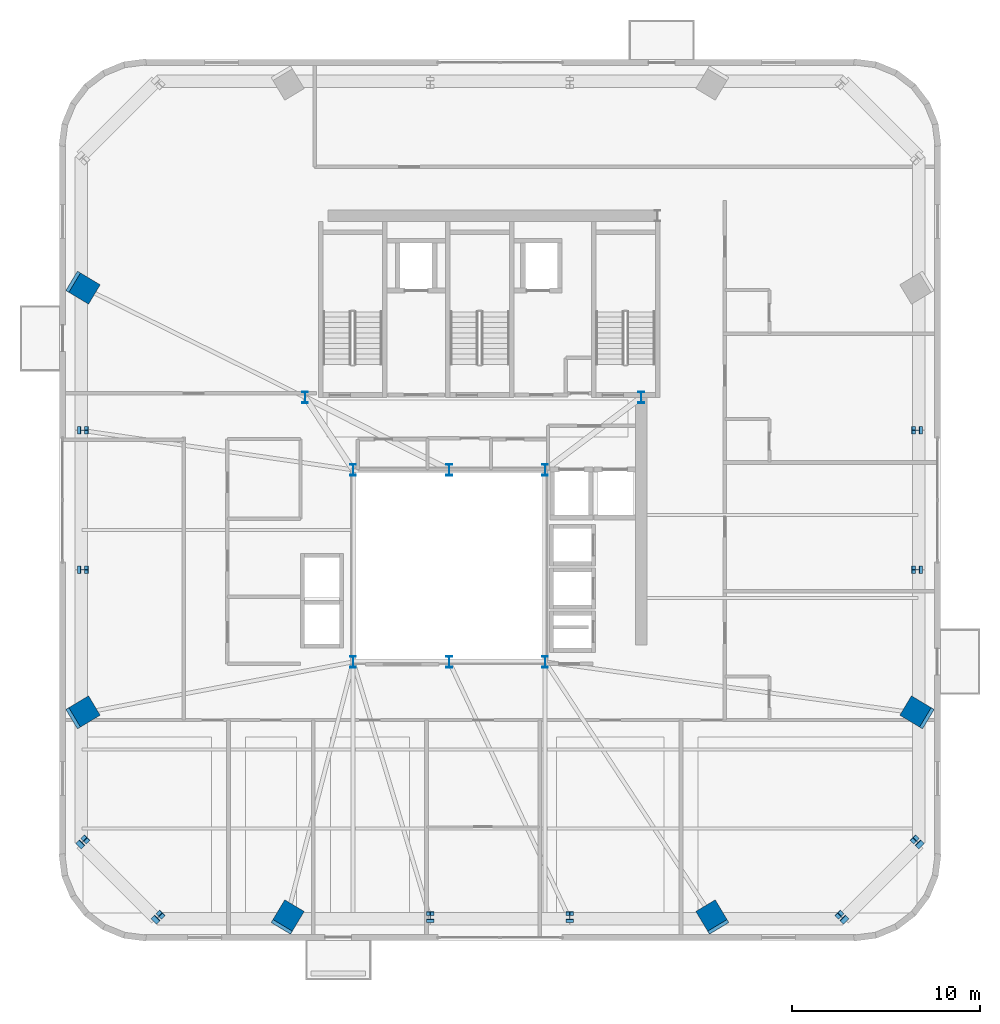
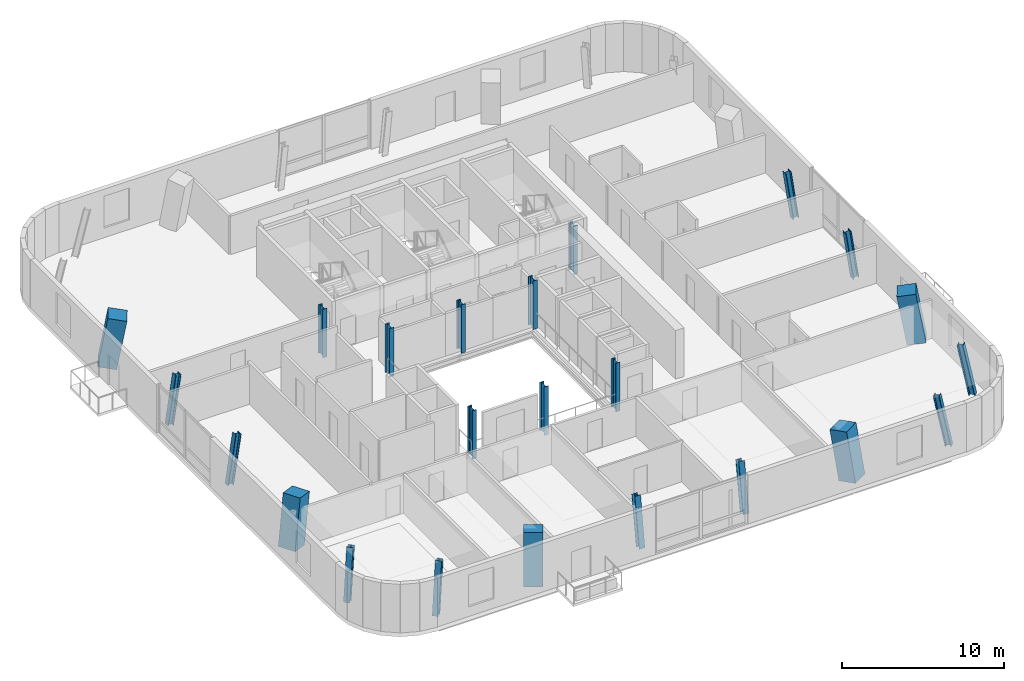
# One storey, part 1 of 12: 23 columns.
"""IFC4 building model written with IfcOpenShell, lengths in metres."""

from ifc_helpers import new_model, si_unit, direction, frame, origin, origin_2d, place, context, subcontext, project, spatial, rectangle, i_section, extrude, source, transform, mapped, material, material_profile, profile_set, type_object, element, save


model = new_model("IFC4")

# Units and contexts
model_context = context("Model", 3, precision=1e-05, world=origin(), true_north=direction((0.0, 1.0)))
body_context = subcontext(model_context, "Body", "Model", "MODEL_VIEW")
ifc_project = project(units=[si_unit("LENGTHUNIT", "METRE"), si_unit("AREAUNIT", "SQUARE_METRE"), si_unit("VOLUMEUNIT", "CUBIC_METRE"), si_unit("PLANEANGLEUNIT", "RADIAN"), si_unit("MASSUNIT", "GRAM", prefix="KILO")], contexts=[model_context])

# Site, building, storey
site_placement = place(None, origin())
site = spatial("IfcSite", under=ifc_project, at=site_placement, CompositionType="ELEMENT")
building_placement = place(site_placement, origin())
building = spatial("IfcBuilding", under=site, at=building_placement, Name="Vardaveli Station Tower", CompositionType="ELEMENT")
storey_placement = place(building_placement, frame((0.0, 0.0, 254.550048828125)))
storey = spatial("IfcBuildingStorey", under=building, at=storey_placement, Name="L65", CompositionType="ELEMENT", Elevation=254.550048828125)

# Columns
ifc_material_1 = material(Name="Structural steel S460M", Category="steel")
ifc_material_profile_1 = material_profile(ifc_material_1, i_section(OverallWidth=0.300048828125, OverallDepth=0.60009765625, WebThickness=0.015380859375, FlangeThickness=0.030029296875, FilletRadius=0.027099609375, at=origin_2d()), Name="HEB 600")
ifc_profile_set_1 = profile_set([ifc_material_profile_1], Name="Structural steel S460M")
column_type_1 = type_object("IfcColumnType", Name="COL-HEB600", PredefinedType="COLUMN", material=ifc_profile_set_1)
shared_shape_1 = source(origin(), body_context, "Body", "SweptSolid", [
    extrude(i_section(OverallWidth=0.300048828125, OverallDepth=0.60009765625, WebThickness=0.015380859375, FlangeThickness=0.030029296875, FilletRadius=0.027099609375, at=origin_2d()), origin(), (0.0, 0.0, 1.0), 3.64990234375),
])
for number, where, z_axis, x_axis, name in (
    (1, (31.199951171875, 16.60009765625, 0.0), (0.0, 0.0, 1.0), (1.0, 0.0, 0.0), "COL-L65-AC1"),
    (2, (36.300048828125, 16.60009765625, 0.0), (0.0, 0.0, 1.0), (1.0, 0.0, 0.0), "COL-L65-AC2"),
    (3, (41.39990234375, 16.60009765625, 0.0), (0.0, 0.0, 1.0), (1.0, 0.0, 0.0), "COL-L65-AC3"),
    (4, (41.39990234375, 26.800048828125, 0.0), (0.0, 0.0, 1.0), (1.0, 0.0, 0.0), "COL-L65-AC4"),
    (5, (36.300048828125, 26.800048828125, 0.0), (0.0, 0.0, 1.0), (1.0, 0.0, 0.0), "COL-L65-AC5"),
    (6, (31.199951171875, 26.800048828125, 0.0), (0.0, 0.0, 1.0), (1.0, 0.0, 0.0), "COL-L65-AC6"),
    (7, (28.64990234375, 30.64990234375, 0.0), (0.0, 0.0, 1.0), (1.0, 0.0, 0.0), "COL-L65-CC1"),
    (8, (46.5, 30.64990234375, 0.0), (0.0, 0.0, 1.0), (1.0, 0.0, 0.0), "COL-L65-CC2"),
):
    element("IfcColumn", number, at=place(storey_placement, frame(where, z_axis=z_axis, x_axis=x_axis)), inside=storey, type_object=column_type_1, Name=name, PredefinedType="COLUMN", context=body_context, shape_type="MappedRepresentation", body=[
        mapped(shared_shape_1, transform((0.0, 0.0, 0.0), scale=1.0)),
    ])
ifc_material_2 = material(Name="Concrete C50/60", Category="concrete")
ifc_material_profile_2 = material_profile(ifc_material_2, rectangle(XDim=1.199951171875, YDim=1.199951171875, at=origin_2d()), Name="MC 1200x1200")
ifc_profile_set_2 = profile_set([ifc_material_profile_2], Name="Concrete C50/60")
column_type_2 = type_object("IfcColumnType", Name="COL-MC-1200", PredefinedType="COLUMN", material=ifc_profile_set_2)
shared_shape_2 = source(origin(), body_context, "Body", "SweptSolid", [
    extrude(rectangle(XDim=1.199951171875, YDim=1.199951171875, at=origin_2d()), origin(), (0.0, 0.0, 1.0), 3.703857421875),
])
for number, where, z_axis, x_axis, name in (
    (9, (27.659912109375, 2.949951171875, 0.0), (0.087470059186, 0.145805403858, 0.98543887327), (-0.857527130037, 0.514438743924, 0.0), "COL-L65-MC1"),
    (10, (50.340087890625, 2.949951171875, 0.0), (-0.087470059186, 0.145805403858, 0.98543887327), (-0.857527130037, -0.514438743924, 0.0), "COL-L65-MC2"),
    (11, (61.25, 13.860107421875, 0.0), (-0.145805403858, 0.087470059186, 0.98543887327), (-0.514438743924, -0.857527130037, 0.0), "COL-L65-MC3"),
    (12, (16.75, 36.5400390625, 0.0), (0.145805403858, -0.087470059186, 0.98543887327), (0.514438743924, 0.857527130037, 0.0), "COL-L65-MC7"),
    (13, (16.75, 13.860107421875, 0.0), (0.145805403858, 0.087470059186, 0.98543887327), (-0.514438743924, 0.857527130037, 0.0), "COL-L65-MC8"),
):
    element("IfcColumn", number, at=place(storey_placement, frame(where, z_axis=z_axis, x_axis=x_axis)), inside=storey, type_object=column_type_2, Name=name, PredefinedType="COLUMN", context=body_context, shape_type="MappedRepresentation", body=[
        mapped(shared_shape_2, transform((0.0, 0.0, 0.0), scale=1.0)),
    ])
ifc_material_profile_3 = material_profile(ifc_material_1, i_section(OverallWidth=0.405029296875, OverallDepth=0.403076171875, WebThickness=0.017822265625, FlangeThickness=0.02783203125, FilletRadius=0.014892578125, at=origin_2d()), Name="HD 400x287")
ifc_profile_set_3 = profile_set([ifc_material_profile_3], Name="Structural steel S460M")
column_type_3 = type_object("IfcColumnType", Name="COL-HD287", PredefinedType="COLUMN", material=ifc_profile_set_3)
shared_shape_3 = source(origin(), body_context, "Body", "SweptSolid", [
    extrude(i_section(OverallWidth=0.405029296875, OverallDepth=0.403076171875, WebThickness=0.017822265625, FlangeThickness=0.02783203125, FilletRadius=0.014892578125, at=origin_2d()), origin(), (0.0, 0.0, 1.0), 3.72900390625),
])
for number, where, z_axis, x_axis, name in (
    (14, (20.75, 2.949951171875, 0.0), (0.144823340775, 0.144823340775, 0.97880151202), (-0.707106781187, 0.707106781187, 0.0), "COL-L65-PC01"),
    (15, (57.25, 2.949951171875, 0.0), (-0.144823340775, 0.144823340775, 0.97880151202), (-0.707106781187, -0.707106781187, 0.0), "COL-L65-PC04"),
    (16, (61.25, 6.949951171875, 0.0), (-0.144823340775, 0.144823340775, 0.97880151202), (-0.707106781187, -0.707106781187, 0.0), "COL-L65-PC05"),
    (17, (16.75, 6.949951171875, 0.0), (0.144823340775, 0.144823340775, 0.97880151202), (-0.707106781187, 0.707106781187, 0.0), "COL-L65-PC16"),
):
    element("IfcColumn", number, at=place(storey_placement, frame(where, z_axis=z_axis, x_axis=x_axis)), inside=storey, type_object=column_type_3, Name=name, PredefinedType="COLUMN", context=body_context, shape_type="MappedRepresentation", body=[
        mapped(shared_shape_3, transform((0.0, 0.0, 0.0), scale=1.0)),
    ])
shared_shape_4 = source(origin(), body_context, "Body", "SweptSolid", [
    extrude(i_section(OverallWidth=0.405029296875, OverallDepth=0.403076171875, WebThickness=0.017822265625, FlangeThickness=0.02783203125, FilletRadius=0.014892578125, at=origin_2d()), origin(), (0.0, 0.0, 1.0), 3.689697265625),
])
for number, where, z_axis, x_axis, name in (
    (18, (35.300048828125, 2.949951171875, 0.0), (0.0, 0.146366404478, 0.989230446175), (-1.0, 0.0, 0.0), "COL-L65-PC02"),
    (19, (42.699951171875, 2.949951171875, 0.0), (0.0, 0.146366404478, 0.989230446175), (-1.0, 0.0, 0.0), "COL-L65-PC03"),
    (20, (61.25, 21.5, 0.0), (-0.146366404478, 0.0, 0.989230446175), (0.0, -1.0, 0.0), "COL-L65-PC06"),
    (21, (61.25, 28.89990234375, 0.0), (-0.146366404478, 0.0, 0.989230446175), (0.0, -1.0, 0.0), "COL-L65-PC07"),
    (22, (16.75, 28.89990234375, 0.0), (0.146366404478, 0.0, 0.989230446175), (0.0, 1.0, 0.0), "COL-L65-PC14"),
    (23, (16.75, 21.5, 0.0), (0.146366404478, 0.0, 0.989230446175), (0.0, 1.0, 0.0), "COL-L65-PC15"),
):
    element("IfcColumn", number, at=place(storey_placement, frame(where, z_axis=z_axis, x_axis=x_axis)), inside=storey, type_object=column_type_3, Name=name, PredefinedType="COLUMN", context=body_context, shape_type="MappedRepresentation", body=[
        mapped(shared_shape_4, transform((0.0, 0.0, 0.0), scale=1.0)),
    ])

save(model, "model.ifc")
